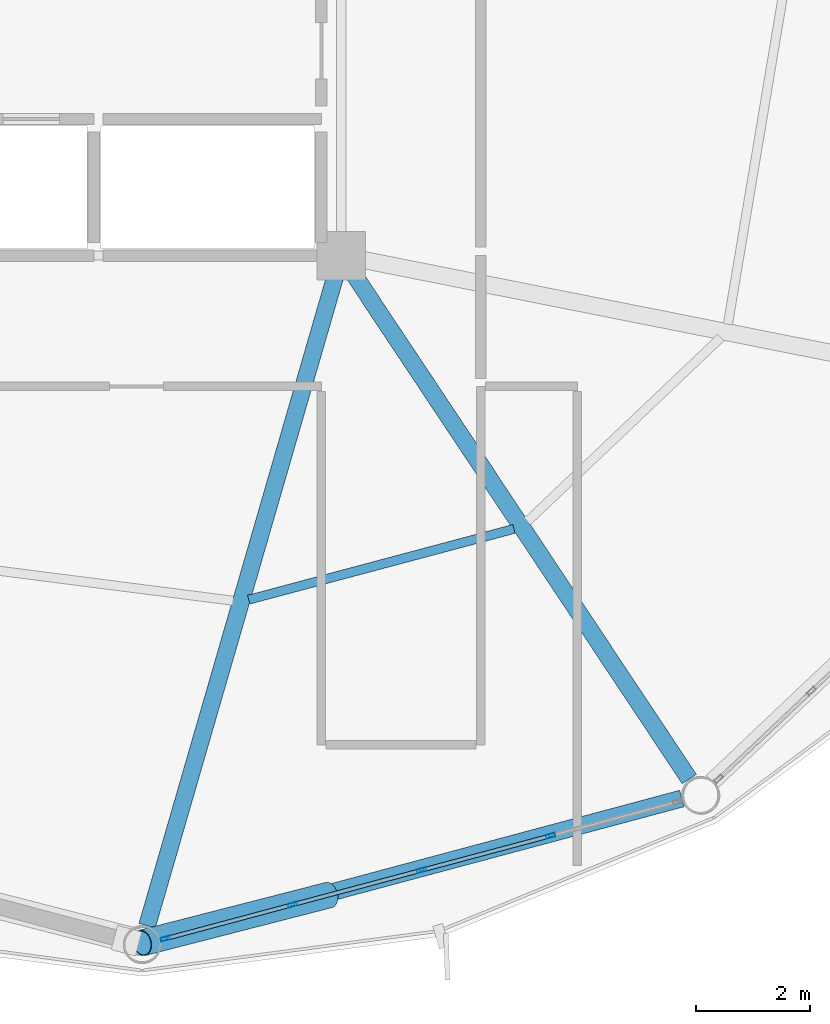
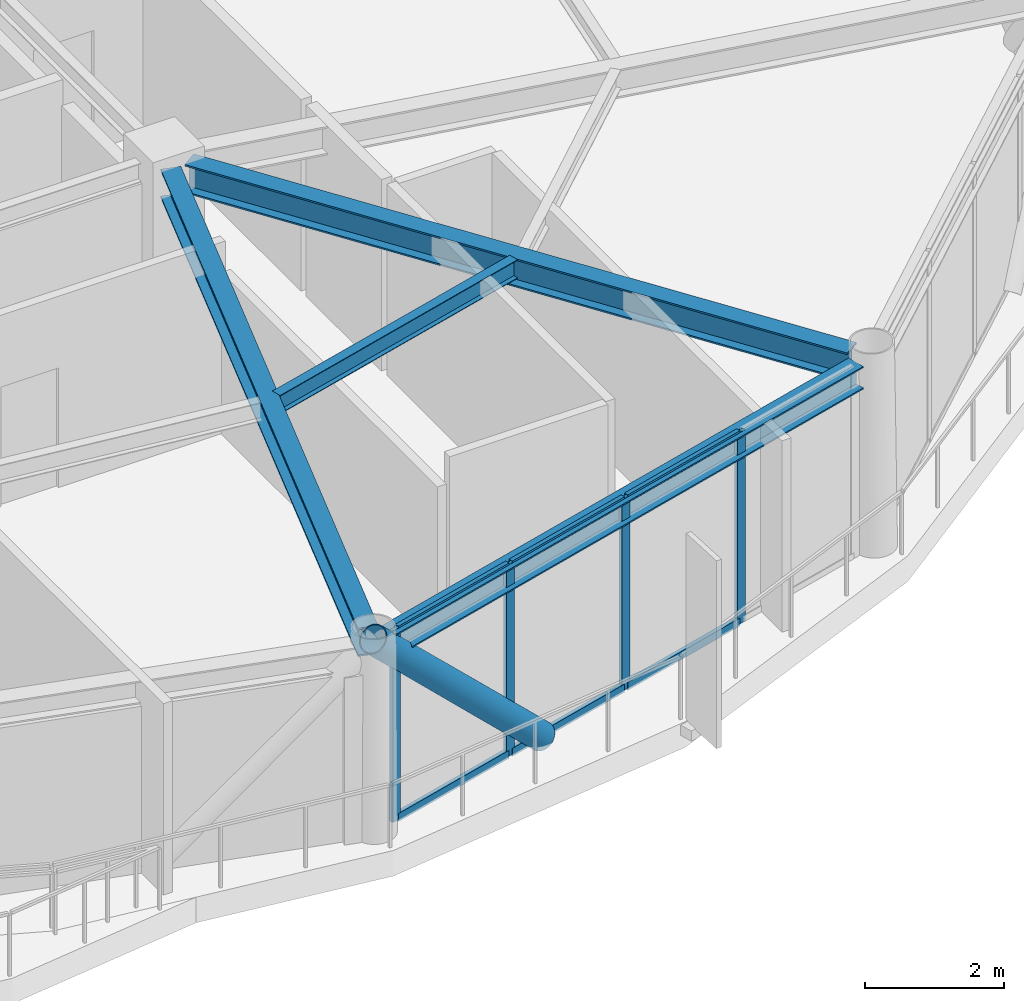
# One storey, part 4 of 25: 11 members, 4 beams, 1 element without a shape of its own.
"""IFC4 building model written with IfcOpenShell, lengths in metres."""

from ifc_helpers import new_model, si_unit, direction, frame, origin, origin_2d, place, context, subcontext, project, spatial, hollow_rectangle, hollow_circle, i_section, extrude, material, layer, layer_set, material_profile, profile_set, type_object, element, aggregate, save


model = new_model("IFC4")

# Units and contexts
model_context = context("Model", 3, precision=1e-05, world=origin(), true_north=direction((0.0, 1.0)))
body_context = subcontext(model_context, "Body", "Model", "MODEL_VIEW")
ifc_project = project(units=[si_unit("LENGTHUNIT", "METRE"), si_unit("AREAUNIT", "SQUARE_METRE"), si_unit("VOLUMEUNIT", "CUBIC_METRE"), si_unit("PLANEANGLEUNIT", "RADIAN"), si_unit("MASSUNIT", "GRAM", prefix="KILO")], contexts=[model_context])

# Site, building, storey
site_placement = place(None, origin())
site = spatial("IfcSite", under=ifc_project, at=site_placement, CompositionType="ELEMENT")
building_placement = place(site_placement, origin())
building = spatial("IfcBuilding", under=site, at=building_placement, Name="Varnakorn Sky Granary", CompositionType="ELEMENT")
storey_placement = place(building_placement, frame((0.0, 0.0, 178.800048828125)))
storey = spatial("IfcBuildingStorey", under=building, at=storey_placement, Name="L44", CompositionType="ELEMENT", Elevation=178.800048828125)

# Beams
ifc_material_1 = material(Name="Steel S355JR", Category="steel")
ifc_material_profile_1 = material_profile(ifc_material_1, i_section(OverallWidth=0.300048828125, OverallDepth=0.5, WebThickness=0.014404296875, FlangeThickness=0.028076171875, at=origin_2d()), Name="HE 500 B")
ifc_profile_set_1 = profile_set([ifc_material_profile_1], Name="Steel S355JR")
beam_type_1 = type_object("IfcBeamType", Name="BM-RAD-Z4", PredefinedType="BEAM", material=ifc_profile_set_1)
beam_1_placement = place(storey_placement, frame((8.2373046875, -6.989013671875, 3.10986328125), z_axis=(-0.278259524547, -0.960505927623, 0.0), x_axis=(0.960505927623, -0.278259524547, 0.0)))
element("IfcBeam", 1, at=beam_1_placement, inside=storey, type_object=beam_type_1, Name="Radial Floor Girder RG10 L44", PredefinedType="BEAM", context=body_context, shape_type="SweptSolid", body=[
    extrude(i_section(OverallWidth=0.300048828125, OverallDepth=0.5, WebThickness=0.014404296875, FlangeThickness=0.028076171875, at=origin_2d()), origin(), (0.0, 0.0, 1.0), 11.858642578125),
])
beam_2_placement = place(storey_placement, frame((8.57421875, -6.937255859375, 3.10986328125), z_axis=(0.553593235758, -0.832787205307, 0.0), x_axis=(0.832787205307, 0.553593235758, 0.0)))
element("IfcBeam", 2, at=beam_2_placement, inside=storey, type_object=beam_type_1, Name="Radial Floor Girder RG11 L44", PredefinedType="BEAM", context=body_context, shape_type="SweptSolid", body=[
    extrude(i_section(OverallWidth=0.300048828125, OverallDepth=0.5, WebThickness=0.014404296875, FlangeThickness=0.028076171875, at=origin_2d()), origin(), (0.0, 0.0, 1.0), 10.64208984375),
])
ifc_material_profile_2 = material_profile(ifc_material_1, i_section(OverallWidth=0.159912109375, OverallDepth=0.330078125, WebThickness=0.007568359375, FlangeThickness=0.011474609375, at=origin_2d()), Name="IPE 330")
ifc_profile_set_2 = profile_set([ifc_material_profile_2], Name="Steel S355JR")
beam_type_2 = type_object("IfcBeamType", Name="BM-SEC-Z4", PredefinedType="BEAM", material=ifc_profile_set_2)
beam_3_placement = place(storey_placement, frame((6.72265625, -12.648193359375, 3.195068359375), z_axis=(0.966222340736, 0.257709891666, 0.0), x_axis=(-0.257709891666, 0.966222340736, 0.0)))
element("IfcBeam", 3, at=beam_3_placement, inside=storey, type_object=beam_type_2, Name="Secondary Floor Chord Beam MSB10 L44", PredefinedType="BEAM", context=body_context, shape_type="SweptSolid", body=[
    extrude(i_section(OverallWidth=0.159912109375, OverallDepth=0.330078125, WebThickness=0.007568359375, FlangeThickness=0.011474609375, at=origin_2d()), origin(), (0.0, 0.0, 1.0), 4.824951171875),
])
ifc_material_profile_3 = material_profile(ifc_material_1, i_section(OverallWidth=0.300048828125, OverallDepth=0.39990234375, WebThickness=0.013427734375, FlangeThickness=0.02392578125, at=origin_2d()), Name="HE 400 B")
ifc_profile_set_3 = profile_set([ifc_material_profile_3], Name="Steel S355JR")
beam_type_3 = type_object("IfcBeamType", Name="BM-SPD-Z4", PredefinedType="SPANDREL", material=ifc_profile_set_3)
beam_4_placement = place(storey_placement, frame((5.154296875, -18.6005859375, 3.159912109375), z_axis=(0.966007752999, 0.258513096662, 0.0), x_axis=(-0.258513096662, 0.966007752999, 0.0)))
element("IfcBeam", 4, at=beam_4_placement, inside=storey, type_object=beam_type_3, Name="Perimeter Spandrel Ring Beam RB10 L44", PredefinedType="SPANDREL", context=body_context, shape_type="SweptSolid", body=[
    extrude(i_section(OverallWidth=0.300048828125, OverallDepth=0.39990234375, WebThickness=0.013427734375, FlangeThickness=0.02392578125, at=origin_2d()), origin(), (0.0, 0.0, 1.0), 9.50439453125),
])

# Curtain wall, members
ifc_material_2 = material(Name="Anodised Bronze Aluminium Alloy 6063-T6", Category="aluminium")
ifc_layer = layer(ifc_material_2, 0.169921875, Name="Anodised Bronze Aluminium Alloy 6063-T6")
ifc_layer_set = layer_set([ifc_layer], Name="Anodised Bronze Aluminium Alloy 6063-T6")
curtain_wall_type = type_object("IfcCurtainWallType", Name="CW-LAB-1", PredefinedType="USERDEFINED", material=ifc_layer_set)
curtain_wall_placement = place(storey_placement, origin())
curtain_wall = element("IfcCurtainWall", 5, at=curtain_wall_placement, inside=storey, type_object=curtain_wall_type, Name="Unitised Curtain Wall CW5 CW-L44-B10", ObjectType="CURTAIN WALL", PredefinedType="USERDEFINED")
ifc_material_profile_4 = material_profile(ifc_material_2, hollow_rectangle(XDim=0.06494140625, YDim=0.159912109375, WallThickness=0.00341796875, at=origin_2d()), Name="ALU MULL 65x160")
ifc_profile_set_4 = profile_set([ifc_material_profile_4], Name="Anodised Bronze Aluminium Alloy 6063-T6")
member_type_1 = type_object("IfcMemberType", Name="CW-LAB-1-MULL", PredefinedType="MULLION", material=ifc_profile_set_4)
member_1_placement = place(storey_placement, frame((12.029296875, -16.798095703125, 0.0), z_axis=(0.0, 0.0, 1.0), x_axis=(0.258096215547, -0.966119218068, 0.0)))
member_1 = element("IfcMember", 6, at=member_1_placement, type_object=member_type_1, Name="CW5 mullion 2", PredefinedType="MULLION", context=body_context, shape_type="SweptSolid", body=[
    extrude(hollow_rectangle(XDim=0.06494140625, YDim=0.159912109375, WallThickness=0.00341796875, at=origin_2d()), origin(), (0.0, 0.0, 1.0), 3.35986328125),
])
member_2_placement = place(storey_placement, frame((9.76171875, -17.40380859375, 0.0), z_axis=(0.0, 0.0, 1.0), x_axis=(0.258096215547, -0.966119218068, 0.0)))
member_2 = element("IfcMember", 7, at=member_2_placement, type_object=member_type_1, Name="CW5 mullion 3", PredefinedType="MULLION", context=body_context, shape_type="SweptSolid", body=[
    extrude(hollow_rectangle(XDim=0.06494140625, YDim=0.159912109375, WallThickness=0.00341796875, at=origin_2d()), origin(), (0.0, 0.0, 1.0), 3.35986328125),
])
member_3_placement = place(storey_placement, frame((7.494384765625, -18.009521484375, 0.0), z_axis=(0.0, 0.0, 1.0), x_axis=(0.258096215547, -0.966119218068, 0.0)))
member_3 = element("IfcMember", 8, at=member_3_placement, type_object=member_type_1, Name="CW5 mullion 4", PredefinedType="MULLION", context=body_context, shape_type="SweptSolid", body=[
    extrude(hollow_rectangle(XDim=0.06494140625, YDim=0.159912109375, WallThickness=0.00341796875, at=origin_2d()), origin(), (0.0, 0.0, 1.0), 3.35986328125),
])
member_4_placement = place(storey_placement, frame((5.25830078125, -18.60693359375, 0.0), z_axis=(0.0, 0.0, 1.0), x_axis=(0.258096215547, -0.966119218068, 0.0)))
member_4 = element("IfcMember", 9, at=member_4_placement, type_object=member_type_1, Name="CW5 mullion 5", PredefinedType="MULLION", context=body_context, shape_type="SweptSolid", body=[
    extrude(hollow_rectangle(XDim=0.06494140625, YDim=0.159912109375, WallThickness=0.00341796875, at=origin_2d()), origin(), (0.0, 0.0, 1.0), 3.35986328125),
])
ifc_material_profile_5 = material_profile(ifc_material_2, hollow_rectangle(XDim=0.070068359375, YDim=0.139892578125, WallThickness=0.00341796875, at=origin_2d()), Name="ALU TRAN 70x140")
ifc_profile_set_5 = profile_set([ifc_material_profile_5], Name="Anodised Bronze Aluminium Alloy 6063-T6")
member_type_2 = type_object("IfcMemberType", Name="CW-LAB-1-TRAN", PredefinedType="USERDEFINED", material=ifc_profile_set_5)
member_5_placement = place(storey_placement, frame((11.997802734375, -16.806396484375, 0.034912109375), z_axis=(-0.966101630449, -0.258162041448, 0.0), x_axis=(0.258162041448, -0.966101630449, 0.0)))
member_5 = element("IfcMember", 10, at=member_5_placement, type_object=member_type_2, Name="CW5 transom 2.1", ObjectType="TRANSOM", PredefinedType="USERDEFINED", context=body_context, shape_type="SweptSolid", body=[
    extrude(hollow_rectangle(XDim=0.070068359375, YDim=0.139892578125, WallThickness=0.00341796875, at=origin_2d()), origin(), (0.0, 0.0, 1.0), 2.281982421875),
])
member_6_placement = place(storey_placement, frame((11.997802734375, -16.806396484375, 3.324951171875), z_axis=(-0.966101630449, -0.258162041448, 0.0), x_axis=(0.258162041448, -0.966101630449, 0.0)))
member_6 = element("IfcMember", 11, at=member_6_placement, type_object=member_type_2, Name="CW5 transom 2.2", ObjectType="TRANSOM", PredefinedType="USERDEFINED", context=body_context, shape_type="SweptSolid", body=[
    extrude(hollow_rectangle(XDim=0.070068359375, YDim=0.139892578125, WallThickness=0.00341796875, at=origin_2d()), origin(), (0.0, 0.0, 1.0), 2.281982421875),
])
member_7_placement = place(storey_placement, frame((9.73046875, -17.412109375, 0.034912109375), z_axis=(-0.966108759841, -0.258135360148, 0.0), x_axis=(0.258135360148, -0.966108759841, 0.0)))
member_7 = element("IfcMember", 12, at=member_7_placement, type_object=member_type_2, Name="CW5 transom 3.1", ObjectType="TRANSOM", PredefinedType="USERDEFINED", context=body_context, shape_type="SweptSolid", body=[
    extrude(hollow_rectangle(XDim=0.070068359375, YDim=0.139892578125, WallThickness=0.00341796875, at=origin_2d()), origin(), (0.0, 0.0, 1.0), 2.2822265625),
])
member_8_placement = place(storey_placement, frame((9.73046875, -17.412109375, 3.324951171875), z_axis=(-0.966108759841, -0.258135360148, 0.0), x_axis=(0.258135360148, -0.966108759841, 0.0)))
member_8 = element("IfcMember", 13, at=member_8_placement, type_object=member_type_2, Name="CW5 transom 3.2", ObjectType="TRANSOM", PredefinedType="USERDEFINED", context=body_context, shape_type="SweptSolid", body=[
    extrude(hollow_rectangle(XDim=0.070068359375, YDim=0.139892578125, WallThickness=0.00341796875, at=origin_2d()), origin(), (0.0, 0.0, 1.0), 2.2822265625),
])
member_9_placement = place(storey_placement, frame((7.462890625, -18.017822265625, 0.034912109375), z_axis=(-0.966096102824, -0.258182726199, 0.0), x_axis=(0.258182726199, -0.966096102824, 0.0)))
member_9 = element("IfcMember", 14, at=member_9_placement, type_object=member_type_2, Name="CW5 transom 4.1", ObjectType="TRANSOM", PredefinedType="USERDEFINED", context=body_context, shape_type="SweptSolid", body=[
    extrude(hollow_rectangle(XDim=0.070068359375, YDim=0.139892578125, WallThickness=0.00341796875, at=origin_2d()), origin(), (0.0, 0.0, 1.0), 2.24951171875),
])
member_10_placement = place(storey_placement, frame((7.462890625, -18.017822265625, 3.324951171875), z_axis=(-0.966096102824, -0.258182726199, 0.0), x_axis=(0.258182726199, -0.966096102824, 0.0)))
member_10 = element("IfcMember", 15, at=member_10_placement, type_object=member_type_2, Name="CW5 transom 4.2", ObjectType="TRANSOM", PredefinedType="USERDEFINED", context=body_context, shape_type="SweptSolid", body=[
    extrude(hollow_rectangle(XDim=0.070068359375, YDim=0.139892578125, WallThickness=0.00341796875, at=origin_2d()), origin(), (0.0, 0.0, 1.0), 2.24951171875),
])
aggregate(curtain_wall, [member_1, member_2, member_3, member_4, member_5, member_6, member_7, member_8, member_9, member_10])

# Member
ifc_material_3 = material(Name="Steel S460M", Category="steel")
ifc_material_profile_6 = material_profile(ifc_material_3, hollow_circle(Radius=0.228515625, WallThickness=0.01611328125, at=origin_2d()), Name="CHS 457x16")
ifc_profile_set_6 = profile_set([ifc_material_profile_6], Name="Steel S460M")
member_type_3 = type_object("IfcMemberType", Name="MB-DIAG-T3", PredefinedType="BRACE", material=ifc_profile_set_6)
member_11_placement = place(storey_placement, frame((8.12451171875, -17.84130859375, 0.0), z_axis=(-0.687001608497, -0.176360463619, 0.70492962542), x_axis=(0.248648131031, -0.968593881322, 0.0)))
element("IfcMember", 16, at=member_11_placement, inside=storey, type_object=member_type_3, Name="Perimeter CHS Diagrid Brace DG10 L44", PredefinedType="BRACE", context=body_context, shape_type="SweptSolid", body=[
    extrude(hollow_circle(Radius=0.228515625, WallThickness=0.01611328125, at=origin_2d()), origin(), (0.0, 0.0, 1.0), 4.766357421875),
])

save(model, "model.ifc")
